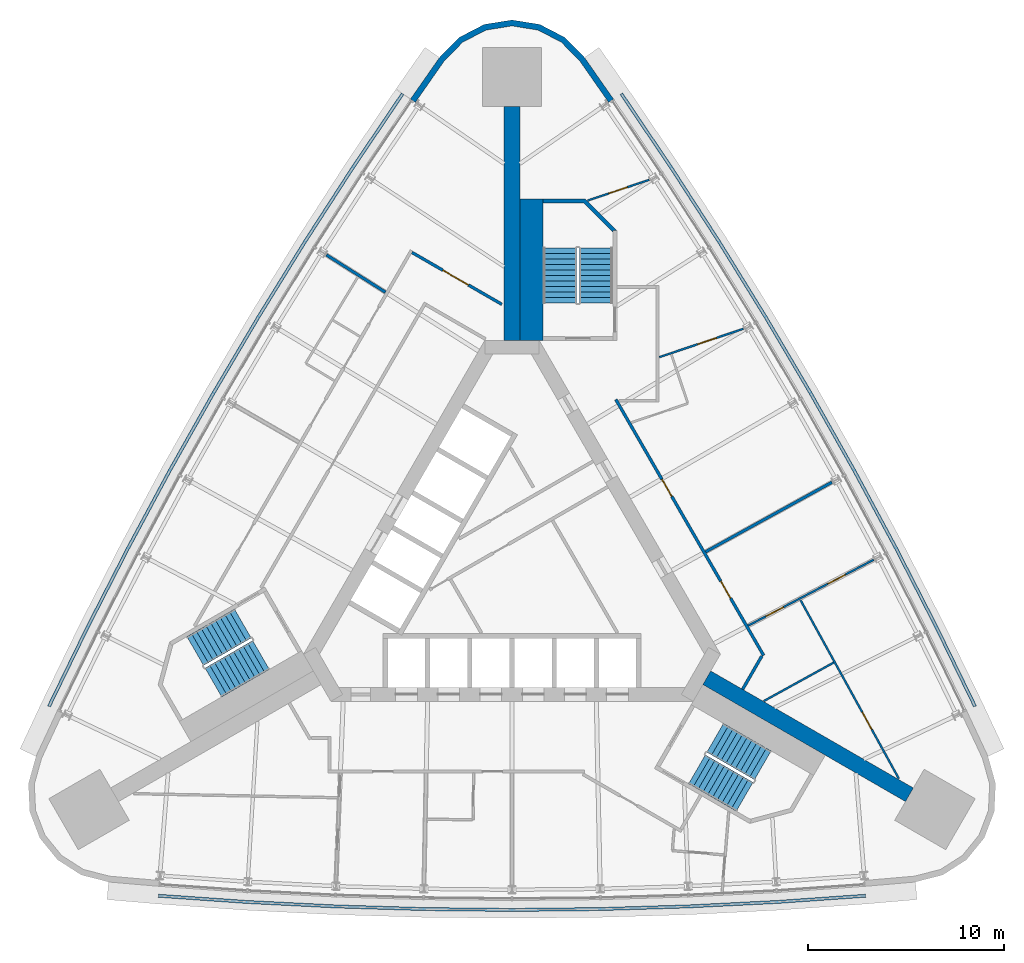
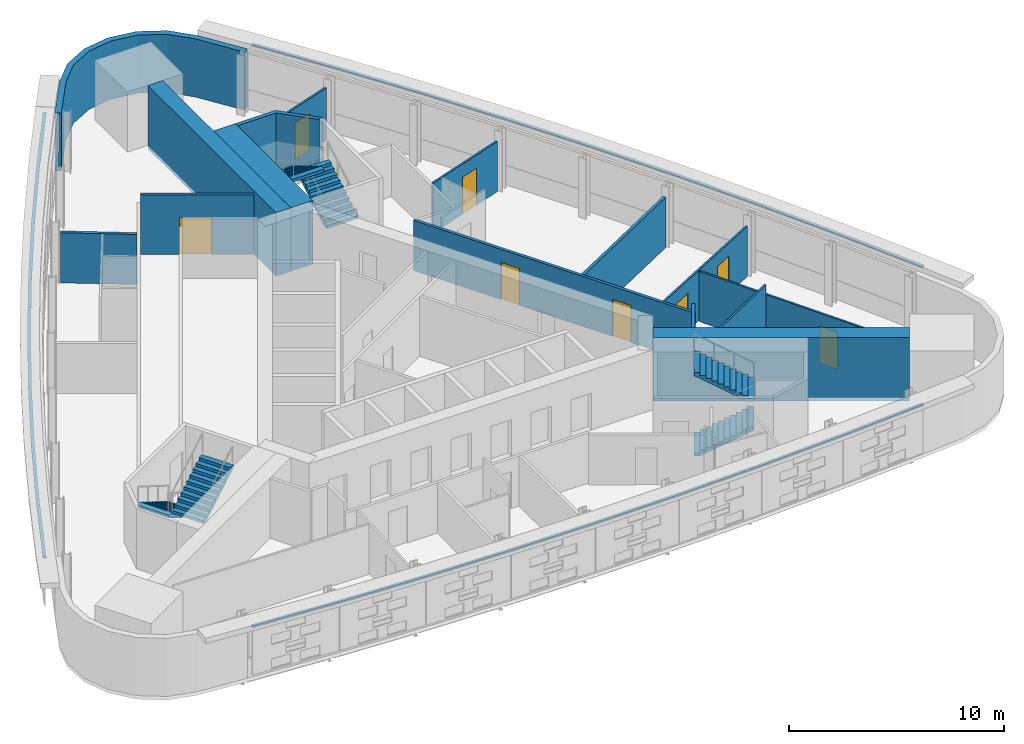
# One storey, part 9 of 11: 15 walls, 8 doors, 6 stair flights, 3 discrete accessories, 8 openings, 3 elements without a shape of their own.
"""IFC4 building model written with IfcOpenShell, lengths in metres."""

from ifc_helpers import new_model, si_unit, direction, frame, frame_2d, origin, place, context, subcontext, project, spatial, polyline, rectangle, outline, extrude, material, layer, layer_set, type_object, element, fill, aggregate, save


model = new_model("IFC4")

# Units and contexts
model_context = context("Model", 3, precision=1e-05, world=origin(), true_north=direction((0.0, 1.0)))
body_context = subcontext(model_context, "Body", "Model", "MODEL_VIEW")
ifc_project = project(units=[si_unit("LENGTHUNIT", "METRE"), si_unit("AREAUNIT", "SQUARE_METRE"), si_unit("VOLUMEUNIT", "CUBIC_METRE"), si_unit("PLANEANGLEUNIT", "RADIAN"), si_unit("MASSUNIT", "GRAM", prefix="KILO")], contexts=[model_context])

# Site, building, storey
site_placement = place(None, origin())
site = spatial("IfcSite", under=ifc_project, at=site_placement, CompositionType="ELEMENT")
building_placement = place(site_placement, origin())
building = spatial("IfcBuilding", under=site, at=building_placement, Name="Noor Cloister Tower", CompositionType="ELEMENT")
storey_placement = place(building_placement, frame((0.0, 0.0, 113.10009765625)))
storey = spatial("IfcBuildingStorey", under=building, at=storey_placement, Name="L29", CompositionType="ELEMENT", Elevation=113.10009765625)

# Walls
ifc_material_1 = material(Name="Concrete C80/95", Category="concrete")
ifc_layer_1 = layer(ifc_material_1, 0.800048828125)
ifc_layer_set_1 = layer_set([ifc_layer_1], Name="Buttress wall 800 C80/95")
wall_type_1 = type_object("IfcWallType", Name="Buttress wall 800 C80/95", PredefinedType="SHEAR", material=ifc_layer_set_1)
wall_1_placement = place(storey_placement, frame((0.0, 11.456298828125, -0.2001953125), z_axis=(0.0, 0.0, 1.0), x_axis=(0.0, 1.0, 0.0)))
element("IfcWall", 1, at=wall_1_placement, inside=storey, type_object=wall_type_1, Name="Buttress wall N L29", PredefinedType="SHEAR", context=body_context, shape_type="SweptSolid", body=[
    extrude(rectangle(XDim=11.918701171875, YDim=0.800048828125, at=frame_2d((5.95947265625, 0.0))), origin(), (0.0, 0.0, 1.0), 3.60009765625),
])
wall_2_placement = place(storey_placement, frame((9.921630859375, -5.728271484375, -0.2001953125), z_axis=(0.0, 0.0, 1.0), x_axis=(0.866027307971, -0.499996701837, 0.0)))
element("IfcWall", 2, at=wall_2_placement, inside=storey, type_object=wall_type_1, Name="Buttress wall SE L29", PredefinedType="SHEAR", context=body_context, shape_type="SweptSolid", body=[
    extrude(rectangle(XDim=11.91845703125, YDim=0.800048828125, at=frame_2d((5.959228515625, 0.0))), origin(), (0.0, 0.0, 1.0), 3.60009765625),
])

# Wall, openings, doors
ifc_material_2 = material(Name="Gypsum board partition on steel studs, 150 mm", Category="steel")
ifc_layer_2 = layer(ifc_material_2, 0.14990234375)
ifc_layer_set_2 = layer_set([ifc_layer_2], Name="Flat wall 150")
wall_type_2 = type_object("IfcWallType", Name="Flat wall 150", PredefinedType="PARTITIONING", material=ifc_layer_set_2)
wall_3_placement = place(storey_placement, frame((5.28857421875, 8.4462890625, 0.0), z_axis=(0.0, 0.0, 1.0), x_axis=(0.499996620721, -0.866027354803, 0.0)))
wall_3 = element("IfcWall", 3, at=wall_3_placement, inside=storey, type_object=wall_type_2, Name="Flat wall 150 L29 003", PredefinedType="PARTITIONING", context=body_context, shape_type="SweptSolid", body=[
    extrude(rectangle(XDim=15.056640625, YDim=0.14990234375, at=frame_2d((7.5283203125, 0.0))), origin(), (0.0, 0.0, 1.0), 2.846923828125),
])
opening_1_placement = place(wall_3_placement, frame((10.688720703125, 0.0, 0.0)))
opening_1 = element("IfcOpeningElement", 4, at=opening_1_placement, cuts=wall_3, Name="Opening L29-006", PredefinedType="OPENING", context=body_context, shape_type="SweptSolid", body=[
    extrude(rectangle(XDim=1.0, YDim=2.10009765625, at=frame_2d((0.5, 1.050048828125))), frame((0.0, 0.0849609375, 0.0), z_axis=(0.0, -1.0, 0.0), x_axis=(1.0, 0.0, 0.0)), (0.0, 0.0, 1.0), 0.169921875),
])
opening_2_placement = place(wall_3_placement, frame((4.6953125, 0.0, 0.0)))
opening_2 = element("IfcOpeningElement", 5, at=opening_2_placement, cuts=wall_3, Name="Opening L29-007", PredefinedType="OPENING", context=body_context, shape_type="SweptSolid", body=[
    extrude(rectangle(XDim=1.0, YDim=2.10009765625, at=frame_2d((0.5, 1.050048828125))), frame((0.0, 0.0849609375, 0.0), z_axis=(0.0, -1.0, 0.0), x_axis=(1.0, 0.0, 0.0)), (0.0, 0.0, 1.0), 0.169921875),
])
ifc_material_3 = material(Name="Timber door leaf with steel frame", Category="steel")
door_type_1 = type_object("IfcDoorType", Name="Flat entrance door 1000 FD60S", OperationType="NOTDEFINED", PredefinedType="DOOR", material=ifc_material_3)
door_1_placement = place(opening_1_placement, origin())
door_1 = element("IfcDoor", 6, at=door_1_placement, inside=storey, type_object=door_type_1, Name="Flat entrance door 1000 L29-006", OperationType="SINGLE_SWING_RIGHT", OverallHeight=2.10009765625, OverallWidth=1.0, PredefinedType="DOOR", context=body_context, shape_type="SweptSolid", body=[
    extrude(rectangle(XDim=1.0, YDim=2.10009765625, at=frame_2d((0.5, 1.050048828125))), frame((0.0, 0.02490234375, 0.0), z_axis=(0.0, -1.0, 0.0), x_axis=(1.0, 0.0, 0.0)), (0.0, 0.0, 1.0), 0.050048828125),
])
fill(opening_1, door_1)
door_2_placement = place(opening_2_placement, origin())
door_2 = element("IfcDoor", 7, at=door_2_placement, inside=storey, type_object=door_type_1, Name="Flat entrance door 1000 L29-007", OperationType="SINGLE_SWING_LEFT", OverallHeight=2.10009765625, OverallWidth=1.0, PredefinedType="DOOR", context=body_context, shape_type="SweptSolid", body=[
    extrude(rectangle(XDim=1.0, YDim=2.10009765625, at=frame_2d((0.5, 1.050048828125))), frame((0.0, 0.02490234375, 0.0), z_axis=(0.0, -1.0, 0.0), x_axis=(1.0, 0.0, 0.0)), (0.0, 0.0, 1.0), 0.050048828125),
])
fill(opening_2, door_2)

# Wall, opening, door
wall_4_placement = place(storey_placement, frame((-5.093017578125, 15.93505859375, 0.0), z_axis=(0.0, 0.0, 1.0), x_axis=(0.866033195618, -0.499986503906, 0.0)))
wall_4 = element("IfcWall", 8, at=wall_4_placement, inside=storey, type_object=wall_type_2, Name="Flat wall 150 L29 007", PredefinedType="PARTITIONING", context=body_context, shape_type="SweptSolid", body=[
    extrude(rectangle(XDim=5.282470703125, YDim=0.14990234375, at=frame_2d((2.64111328125, 0.0))), origin(), (0.0, 0.0, 1.0), 3.39990234375),
])
opening_3_placement = place(wall_4_placement, frame((1.816162109375, 0.0, 0.0)))
opening_3 = element("IfcOpeningElement", 9, at=opening_3_placement, cuts=wall_4, Name="Opening L29-011", PredefinedType="OPENING", context=body_context, shape_type="SweptSolid", body=[
    extrude(rectangle(XDim=1.5, YDim=2.10009765625, at=frame_2d((0.75, 1.050048828125))), frame((0.0, 0.0849609375, 0.0), z_axis=(0.0, -1.0, 0.0), x_axis=(1.0, 0.0, 0.0)), (0.0, 0.0, 1.0), 0.169921875),
])
ifc_material_4 = material(Name="Timber door leaf with steel frame", Category="steel")
door_type_2 = type_object("IfcDoorType", Name="Double door 1500 FD60", OperationType="NOTDEFINED", PredefinedType="DOOR", material=ifc_material_4)
door_3_placement = place(opening_3_placement, origin())
door_3 = element("IfcDoor", 10, at=door_3_placement, inside=storey, type_object=door_type_2, Name="Double door 1500 L29-011", OperationType="DOUBLE_DOOR_SINGLE_SWING", OverallHeight=2.10009765625, OverallWidth=1.5, PredefinedType="DOOR", context=body_context, shape_type="SweptSolid", body=[
    extrude(rectangle(XDim=1.5, YDim=2.10009765625, at=frame_2d((0.75, 1.050048828125))), frame((0.0, 0.02490234375, 0.0), z_axis=(0.0, -1.0, 0.0), x_axis=(1.0, 0.0, 0.0)), (0.0, 0.0, 1.0), 0.050048828125),
])
fill(opening_3, door_3)

# Walls
wall_5_placement = place(storey_placement, frame((11.745361328125, -6.3193359375, 0.0), z_axis=(0.0, 0.0, 1.0), x_axis=(0.500012721296, 0.866018059016, 0.0)))
element("IfcWall", 11, at=wall_5_placement, inside=storey, type_object=wall_type_2, Name="Flat wall 150 L29 012", PredefinedType="PARTITIONING", context=body_context, shape_type="SweptSolid", body=[
    extrude(rectangle(XDim=1.9658203125, YDim=0.14990234375, at=frame_2d((0.98291015625, 0.0))), origin(), (0.0, 0.0, 1.0), 3.39990234375),
])
wall_6_placement = place(storey_placement, frame((16.296875, 4.231689453125, 0.0), z_axis=(0.0, 0.0, 1.0), x_axis=(-0.875895262359, -0.482501284327, 0.0)))
element("IfcWall", 12, at=wall_6_placement, inside=storey, type_object=wall_type_2, Name="Flat wall 150 L29 016", PredefinedType="PARTITIONING", context=body_context, shape_type="SweptSolid", body=[
    extrude(rectangle(XDim=7.35107421875, YDim=0.14990234375, at=frame_2d((3.675537109375, 0.0))), origin(), (0.0, 0.0, 1.0), 2.846923828125),
])
wall_7_placement = place(storey_placement, frame((-9.455322265625, 15.8115234375, 0.0), z_axis=(0.0, 0.0, 1.0), x_axis=(0.845256180865, -0.53436129043, 0.0)))
element("IfcWall", 13, at=wall_7_placement, inside=storey, type_object=wall_type_2, Name="Flat wall 150 L29 020", PredefinedType="PARTITIONING", context=body_context, shape_type="SweptSolid", body=[
    extrude(rectangle(XDim=3.56591796875, YDim=0.14990234375, at=frame_2d((1.782958984375, 0.0))), origin(), (0.0, 0.0, 1.0), 2.846923828125),
])
ifc_material_5 = material(Name="Limestone", Category="masonry")
ifc_layer_3 = layer(ifc_material_5, 0.300048828125)
ifc_layer_set_3 = layer_set([ifc_layer_3], Name="Limestone cladding 300")
wall_type_3 = type_object("IfcWallType", Name="Limestone cladding 300", PredefinedType="NOTDEFINED", material=ifc_layer_set_3)
wall_8_placement = place(storey_placement, origin())
element("IfcWall", 14, at=wall_8_placement, inside=storey, type_object=wall_type_3, Name="Limestone pier cladding L29 3.1", PredefinedType="NOTDEFINED", context=body_context, shape_type="SweptSolid", body=[
    extrude(outline(polyline([(5.1708984375, 23.747802734375), (3.694091796875, 25.862548828125), (2.6904296875, 26.8876953125), (1.41650390625, 27.54736328125), (0.0, 27.774658203125), (-1.41650390625, 27.54736328125), (-2.6904296875, 26.8876953125), (-3.694091796875, 25.862548828125), (-5.1708984375, 23.747802734375), (-4.925048828125, 23.575927734375), (-3.462158203125, 25.67041015625), (-2.509765625, 26.6435546875), (-1.3212890625, 27.2587890625), (0.0, 27.470947265625), (1.3212890625, 27.2587890625), (2.509765625, 26.6435546875), (3.462158203125, 25.67041015625), (4.925048828125, 23.575927734375), (5.1708984375, 23.747802734375)])), origin(), (0.0, 0.0, 1.0), 3.2998046875),
])

# Wall, opening, door
ifc_material_6 = material(Name="Gypsum board partition on steel studs, 100 mm", Category="steel")
ifc_layer_4 = layer(ifc_material_6, 0.10009765625)
ifc_layer_set_4 = layer_set([ifc_layer_4], Name="Partition 100")
wall_type_4 = type_object("IfcWallType", Name="Partition 100", PredefinedType="PARTITIONING", material=ifc_layer_set_4)
wall_9_placement = place(storey_placement, frame((19.702880859375, -10.8642578125, 0.0), z_axis=(0.0, 0.0, 1.0), x_axis=(-0.482505676042, 0.875892843096, 0.0)))
wall_9 = element("IfcWall", 15, at=wall_9_placement, inside=storey, type_object=wall_type_4, Name="Partition 100 L29 021", PredefinedType="PARTITIONING", context=body_context, shape_type="SweptSolid", body=[
    extrude(rectangle(XDim=10.377197265625, YDim=0.10009765625, at=frame_2d((5.1884765625, 0.0))), origin(), (0.0, 0.0, 1.0), 2.846923828125),
])
opening_4_placement = place(wall_9_placement, frame((2.863525390625, 0.0, 0.0)))
opening_4 = element("IfcOpeningElement", 16, at=opening_4_placement, cuts=wall_9, Name="Opening L29-012", PredefinedType="OPENING", context=body_context, shape_type="SweptSolid", body=[
    extrude(rectangle(XDim=1.0, YDim=2.10009765625, at=frame_2d((0.5, 1.050048828125))), frame((0.0, 0.06005859375, 0.0), z_axis=(0.0, -1.0, 0.0), x_axis=(1.0, 0.0, 0.0)), (0.0, 0.0, 1.0), 0.1201171875),
])
ifc_material_7 = material(Name="Timber door leaf with steel frame", Category="steel")
door_type_3 = type_object("IfcDoorType", Name="Interior door 1000", OperationType="NOTDEFINED", PredefinedType="DOOR", material=ifc_material_7)
door_4_placement = place(opening_4_placement, origin())
door_4 = element("IfcDoor", 17, at=door_4_placement, inside=storey, type_object=door_type_3, Name="Interior door 1000 L29-012", OperationType="SINGLE_SWING_LEFT", OverallHeight=2.10009765625, OverallWidth=1.0, PredefinedType="DOOR", context=body_context, shape_type="SweptSolid", body=[
    extrude(rectangle(XDim=1.0, YDim=2.10009765625, at=frame_2d((0.5, 1.050048828125))), frame((0.0, 0.02490234375, 0.0), z_axis=(0.0, -1.0, 0.0), x_axis=(1.0, 0.0, 0.0)), (0.0, 0.0, 1.0), 0.050048828125),
])
fill(opening_4, door_4)

# Wall, openings, doors
wall_10_placement = place(storey_placement, frame((18.4208984375, 0.282958984375, 0.0), z_axis=(0.0, 0.0, 1.0), x_axis=(-0.885392336097, -0.464844502151, 0.0)))
wall_10 = element("IfcWall", 18, at=wall_10_placement, inside=storey, type_object=wall_type_4, Name="Partition 100 L29 023", PredefinedType="PARTITIONING", context=body_context, shape_type="SweptSolid", body=[
    extrude(rectangle(XDim=7.219970703125, YDim=0.10009765625, at=frame_2d((3.60986328125, 0.0))), origin(), (0.0, 0.0, 1.0), 2.846923828125),
])
opening_5_placement = place(wall_10_placement, frame((5.19580078125, 0.0, 0.0)))
opening_5 = element("IfcOpeningElement", 19, at=opening_5_placement, cuts=wall_10, Name="Opening L29-013", PredefinedType="OPENING", context=body_context, shape_type="SweptSolid", body=[
    extrude(rectangle(XDim=1.0, YDim=2.10009765625, at=frame_2d((0.5, 1.050048828125))), frame((0.0, 0.06005859375, 0.0), z_axis=(0.0, -1.0, 0.0), x_axis=(1.0, 0.0, 0.0)), (0.0, 0.0, 1.0), 0.1201171875),
])
opening_6_placement = place(wall_10_placement, frame((1.634033203125, 0.0, 0.0)))
opening_6 = element("IfcOpeningElement", 20, at=opening_6_placement, cuts=wall_10, Name="Opening L29-014", PredefinedType="OPENING", context=body_context, shape_type="SweptSolid", body=[
    extrude(rectangle(XDim=1.0, YDim=2.10009765625, at=frame_2d((0.5, 1.050048828125))), frame((0.0, 0.06005859375, 0.0), z_axis=(0.0, -1.0, 0.0), x_axis=(1.0, 0.0, 0.0)), (0.0, 0.0, 1.0), 0.1201171875),
])
door_5_placement = place(opening_5_placement, origin())
door_5 = element("IfcDoor", 21, at=door_5_placement, inside=storey, type_object=door_type_3, Name="Interior door 1000 L29-013", OperationType="SINGLE_SWING_RIGHT", OverallHeight=2.10009765625, OverallWidth=1.0, PredefinedType="DOOR", context=body_context, shape_type="SweptSolid", body=[
    extrude(rectangle(XDim=1.0, YDim=2.10009765625, at=frame_2d((0.5, 1.050048828125))), frame((0.0, 0.02490234375, 0.0), z_axis=(0.0, -1.0, 0.0), x_axis=(1.0, 0.0, 0.0)), (0.0, 0.0, 1.0), 0.050048828125),
])
fill(opening_5, door_5)
door_6_placement = place(opening_6_placement, origin())
door_6 = element("IfcDoor", 22, at=door_6_placement, inside=storey, type_object=door_type_3, Name="Interior door 1000 L29-014", OperationType="SINGLE_SWING_LEFT", OverallHeight=2.10009765625, OverallWidth=1.0, PredefinedType="DOOR", context=body_context, shape_type="SweptSolid", body=[
    extrude(rectangle(XDim=1.0, YDim=2.10009765625, at=frame_2d((0.5, 1.050048828125))), frame((0.0, 0.02490234375, 0.0), z_axis=(0.0, -1.0, 0.0), x_axis=(1.0, 0.0, 0.0)), (0.0, 0.0, 1.0), 0.050048828125),
])
fill(opening_6, door_6)

# Wall, opening, door
wall_11_placement = place(storey_placement, frame((7.501708984375, 10.600830078125, 0.0), z_axis=(0.0, 0.0, 1.0), x_axis=(0.947570000993, 0.319548264303, 0.0)))
wall_11 = element("IfcWall", 23, at=wall_11_placement, inside=storey, type_object=wall_type_4, Name="Partition 100 L29 026", PredefinedType="PARTITIONING", context=body_context, shape_type="SweptSolid", body=[
    extrude(rectangle(XDim=4.519287109375, YDim=0.10009765625, at=frame_2d((2.259765625, 0.0))), origin(), (0.0, 0.0, 1.0), 2.846923828125),
])
opening_7_placement = place(wall_11_placement, frame((2.067626953125, 0.0, 0.0)))
opening_7 = element("IfcOpeningElement", 24, at=opening_7_placement, cuts=wall_11, Name="Opening L29-017", PredefinedType="OPENING", context=body_context, shape_type="SweptSolid", body=[
    extrude(rectangle(XDim=1.0, YDim=2.10009765625, at=frame_2d((0.5, 1.050048828125))), frame((0.0, 0.06005859375, 0.0), z_axis=(0.0, -1.0, 0.0), x_axis=(1.0, 0.0, 0.0)), (0.0, 0.0, 1.0), 0.1201171875),
])
door_7_placement = place(opening_7_placement, origin())
door_7 = element("IfcDoor", 25, at=door_7_placement, inside=storey, type_object=door_type_3, Name="Interior door 1000 L29-017", OperationType="SINGLE_SWING_RIGHT", OverallHeight=2.10009765625, OverallWidth=1.0, PredefinedType="DOOR", context=body_context, shape_type="SweptSolid", body=[
    extrude(rectangle(XDim=1.0, YDim=2.10009765625, at=frame_2d((0.5, 1.050048828125))), frame((0.0, 0.02490234375, 0.0), z_axis=(0.0, -1.0, 0.0), x_axis=(1.0, 0.0, 0.0)), (0.0, 0.0, 1.0), 0.050048828125),
])
fill(opening_7, door_7)

# Wall
wall_12_placement = place(storey_placement, frame((16.388916015625, -4.952392578125, 0.0), z_axis=(0.0, 0.0, 1.0), x_axis=(-0.875896259157, -0.482499474814, 0.0)))
element("IfcWall", 26, at=wall_12_placement, inside=storey, type_object=wall_type_4, Name="Partition 100 L29 027", PredefinedType="PARTITIONING", context=body_context, shape_type="SweptSolid", body=[
    extrude(rectangle(XDim=4.066162109375, YDim=0.10009765625, at=frame_2d((2.033203125, 0.0))), origin(), (0.0, 0.0, 1.0), 3.39990234375),
])

# Wall, opening, door
wall_13_placement = place(storey_placement, frame((3.8486328125, 18.574951171875, 0.0), z_axis=(0.0, 0.0, 1.0), x_axis=(0.947578304543, 0.319523640375, 0.0)))
wall_13 = element("IfcWall", 27, at=wall_13_placement, inside=storey, type_object=wall_type_4, Name="Partition 100 L29 029", PredefinedType="PARTITIONING", context=body_context, shape_type="SweptSolid", body=[
    extrude(rectangle(XDim=3.309326171875, YDim=0.10009765625, at=frame_2d((1.65478515625, 0.0))), origin(), (0.0, 0.0, 1.0), 2.973876953125),
])
opening_8_placement = place(wall_13_placement, frame((1.14208984375, 0.0, 0.0)))
opening_8 = element("IfcOpeningElement", 28, at=opening_8_placement, cuts=wall_13, Name="Opening L29-019", PredefinedType="OPENING", context=body_context, shape_type="SweptSolid", body=[
    extrude(rectangle(XDim=1.0, YDim=2.10009765625, at=frame_2d((0.5, 1.050048828125))), frame((0.0, 0.06005859375, 0.0), z_axis=(0.0, -1.0, 0.0), x_axis=(1.0, 0.0, 0.0)), (0.0, 0.0, 1.0), 0.1201171875),
])
door_8_placement = place(opening_8_placement, origin())
door_8 = element("IfcDoor", 29, at=door_8_placement, inside=storey, type_object=door_type_3, Name="Interior door 1000 L29-019", OperationType="SINGLE_SWING_LEFT", OverallHeight=2.10009765625, OverallWidth=1.0, PredefinedType="DOOR", context=body_context, shape_type="SweptSolid", body=[
    extrude(rectangle(XDim=1.0, YDim=2.10009765625, at=frame_2d((0.5, 1.050048828125))), frame((0.0, 0.02490234375, 0.0), z_axis=(0.0, -1.0, 0.0), x_axis=(1.0, 0.0, 0.0)), (0.0, 0.0, 1.0), 0.050048828125),
])
fill(opening_8, door_8)

# Walls
ifc_material_8 = material(Name="Concrete C80/95", Category="concrete")
ifc_layer_5 = layer(ifc_material_8, 1.18603515625)
ifc_layer_set_5 = layer_set([ifc_layer_5], Name="Stair enclosure wall 1186 C80/95")
wall_type_5 = type_object("IfcWallType", Name="Stair enclosure wall 1186 C80/95", PredefinedType="SHEAR", material=ifc_layer_set_5)
wall_14_placement = place(storey_placement, frame((0.992919921875, 11.456298828125, -0.2001953125), z_axis=(0.0, 0.0, 1.0), x_axis=(0.0, 1.0, 0.0)))
element("IfcWall", 30, at=wall_14_placement, inside=storey, type_object=wall_type_5, Name="Stair enclosure wall ST1 L29 riser side", PredefinedType="SHEAR", context=body_context, shape_type="SweptSolid", body=[
    extrude(rectangle(XDim=7.2001953125, YDim=1.185546875, at=frame_2d((3.60009765625, 0.0))), origin(), (0.0, 0.0, 1.0), 3.60009765625),
])
ifc_material_9 = material(Name="Concrete C80/95", Category="concrete")
wall_type_6 = type_object("IfcWallType", Name="Stair far end wall C80/95", PredefinedType="SHEAR", material=ifc_material_9)
wall_15_placement = place(storey_placement, frame((0.0, 0.0, -0.2001953125)))
element("IfcWall", 31, at=wall_15_placement, inside=storey, type_object=wall_type_6, Name="Stair enclosure wall ST1 L29 far end", PredefinedType="SHEAR", context=body_context, shape_type="SweptSolid", body=[
    extrude(outline(polyline([(5.335693359375, 17.056396484375), (3.735595703125, 18.656494140625), (1.585693359375, 18.656494140625), (1.585693359375, 18.456298828125), (3.65283203125, 18.456298828125), (5.135498046875, 16.9736328125), (5.135498046875, 17.056396484375), (5.135498046875, 17.056396484375), (5.135498046875, 17.056396484375), (5.135498046875, 17.056396484375), (5.135498046875, 17.056396484375), (5.135498046875, 17.056396484375), (5.135498046875, 17.056396484375), (5.135498046875, 17.056396484375), (5.135498046875, 17.056396484375), (5.135498046875, 17.056396484375), (5.135498046875, 17.056396484375), (5.135498046875, 17.056396484375), (5.135498046875, 17.056396484375), (5.135498046875, 17.056396484375), (5.135498046875, 17.056396484375), (5.135498046875, 17.056396484375), (5.135498046875, 17.056396484375), (5.335693359375, 17.056396484375)])), origin(), (0.0, 0.0, 1.0), 3.60009765625),
])

# Stair, stair flights
ifc_material_10 = material(Name="Concrete C40/50", Category="concrete")
stair_type = type_object("IfcStairType", Name="Exit stair 22 risers", PredefinedType="HALF_TURN_STAIR", material=ifc_material_10)
stair_1_placement = place(storey_placement, origin())
stair_1 = element("IfcStair", 32, at=stair_1_placement, inside=storey, type_object=stair_type, Name="Exit stair ST1 L29", PredefinedType="HALF_TURN_STAIR")
ifc_material_11 = material(Name="Concrete C40/50", Category="concrete")
stair_flight_type = type_object("IfcStairFlightType", Name="Exit stair flight", PredefinedType="STRAIGHT", material=ifc_material_11)
stair_flight_1_placement = place(storey_placement, frame((4.28564453125, 13.3564453125, 0.0), z_axis=(0.0, 0.0, 1.0), x_axis=(0.0, 1.0, 0.0)))
stair_flight_1 = element("IfcStairFlight", 33, at=stair_flight_1_placement, type_object=stair_flight_type, Name="ST1 flight 1", NumberOfRisers=11, NumberOfTreads=10, PredefinedType="STRAIGHT", RiserHeight=0.163636364, TreadLength=0.28, context=body_context, shape_type="SweptSolid", body=[
    extrude(outline(polyline([(0.0, 0.0), (0.0, 0.16357421875), (0.280029296875, 0.16357421875), (0.280029296875, 0.327392578125), (0.56005859375, 0.327392578125), (0.56005859375, 0.490966796875), (0.840087890625, 0.490966796875), (0.840087890625, 0.654541015625), (1.1201171875, 0.654541015625), (1.1201171875, 0.818115234375), (1.39990234375, 0.818115234375), (1.39990234375, 0.98193359375), (1.679931640625, 0.98193359375), (1.679931640625, 1.1455078125), (1.9599609375, 1.1455078125), (1.9599609375, 1.30908203125), (2.239990234375, 1.30908203125), (2.239990234375, 1.47265625), (2.52001953125, 1.47265625), (2.52001953125, 1.636474609375), (2.800048828125, 1.636474609375), (2.800048828125, 1.800048828125), (2.800048828125, 1.462646484375), (0.297119140625, 0.0), (0.0, 0.0)])), frame((0.0, 0.85009765625, 0.0), z_axis=(0.0, -1.0, 0.0), x_axis=(1.0, 0.0, 0.0)), (0.0, 0.0, 1.0), 1.699951171875),
])
stair_flight_2_placement = place(storey_placement, frame((2.435546875, 16.156494140625, 1.7998046875), z_axis=(0.0, 0.0, 1.0), x_axis=(0.0, -1.0, 0.0)))
stair_flight_2 = element("IfcStairFlight", 34, at=stair_flight_2_placement, type_object=stair_flight_type, Name="ST1 flight 2", NumberOfRisers=11, NumberOfTreads=10, PredefinedType="STRAIGHT", RiserHeight=0.163636364, TreadLength=0.28, context=body_context, shape_type="SweptSolid", body=[
    extrude(outline(polyline([(0.0, 0.0), (0.0, 0.16357421875), (0.280029296875, 0.16357421875), (0.280029296875, 0.327392578125), (0.56005859375, 0.327392578125), (0.56005859375, 0.490966796875), (0.840087890625, 0.490966796875), (0.840087890625, 0.654541015625), (1.1201171875, 0.654541015625), (1.1201171875, 0.818115234375), (1.39990234375, 0.818115234375), (1.39990234375, 0.98193359375), (1.679931640625, 0.98193359375), (1.679931640625, 1.1455078125), (1.9599609375, 1.1455078125), (1.9599609375, 1.30908203125), (2.239990234375, 1.30908203125), (2.239990234375, 1.47265625), (2.52001953125, 1.47265625), (2.52001953125, 1.636474609375), (2.800048828125, 1.636474609375), (2.800048828125, 1.800048828125), (2.800048828125, 1.462646484375), (0.297119140625, 0.0), (0.0, 0.0)])), frame((0.0, 0.85009765625, 0.0), z_axis=(0.0, -1.0, 0.0), x_axis=(1.0, 0.0, 0.0)), (0.0, 0.0, 1.0), 1.699951171875),
])
aggregate(stair_1, [stair_flight_1, stair_flight_2])

stair_2_placement = place(storey_placement, origin())
stair_2 = element("IfcStair", 35, at=stair_2_placement, inside=storey, type_object=stair_type, Name="Exit stair ST2 L29", PredefinedType="HALF_TURN_STAIR")
stair_flight_3_placement = place(storey_placement, frame((-13.709716796875, -2.966796875, 0.0), z_axis=(0.0, 0.0, 1.0), x_axis=(-0.866025403784, -0.5, 0.0)))
stair_flight_3 = element("IfcStairFlight", 36, at=stair_flight_3_placement, type_object=stair_flight_type, Name="ST2 flight 1", NumberOfRisers=11, NumberOfTreads=10, PredefinedType="STRAIGHT", RiserHeight=0.163636364, TreadLength=0.28, context=body_context, shape_type="SweptSolid", body=[
    extrude(outline(polyline([(0.0, 0.0), (0.0, 0.16357421875), (0.280029296875, 0.16357421875), (0.280029296875, 0.327392578125), (0.56005859375, 0.327392578125), (0.56005859375, 0.490966796875), (0.840087890625, 0.490966796875), (0.840087890625, 0.654541015625), (1.1201171875, 0.654541015625), (1.1201171875, 0.818115234375), (1.39990234375, 0.818115234375), (1.39990234375, 0.98193359375), (1.679931640625, 0.98193359375), (1.679931640625, 1.1455078125), (1.9599609375, 1.1455078125), (1.9599609375, 1.30908203125), (2.239990234375, 1.30908203125), (2.239990234375, 1.47265625), (2.52001953125, 1.47265625), (2.52001953125, 1.636474609375), (2.800048828125, 1.636474609375), (2.800048828125, 1.800048828125), (2.800048828125, 1.462646484375), (0.297119140625, 0.0), (0.0, 0.0)])), frame((0.0, 0.85009765625, 0.0), z_axis=(0.0, -1.0, 0.0), x_axis=(1.0, 0.0, 0.0)), (0.0, 0.0, 1.0), 1.699951171875),
])
stair_flight_4_placement = place(storey_placement, frame((-15.209716796875, -5.968994140625, 1.7998046875), z_axis=(0.0, 0.0, 1.0), x_axis=(0.866025403784, 0.5, 0.0)))
stair_flight_4 = element("IfcStairFlight", 37, at=stair_flight_4_placement, type_object=stair_flight_type, Name="ST2 flight 2", NumberOfRisers=11, NumberOfTreads=10, PredefinedType="STRAIGHT", RiserHeight=0.163636364, TreadLength=0.28, context=body_context, shape_type="SweptSolid", body=[
    extrude(outline(polyline([(0.0, 0.0), (0.0, 0.16357421875), (0.280029296875, 0.16357421875), (0.280029296875, 0.327392578125), (0.56005859375, 0.327392578125), (0.56005859375, 0.490966796875), (0.840087890625, 0.490966796875), (0.840087890625, 0.654541015625), (1.1201171875, 0.654541015625), (1.1201171875, 0.818115234375), (1.39990234375, 0.818115234375), (1.39990234375, 0.98193359375), (1.679931640625, 0.98193359375), (1.679931640625, 1.1455078125), (1.9599609375, 1.1455078125), (1.9599609375, 1.30908203125), (2.239990234375, 1.30908203125), (2.239990234375, 1.47265625), (2.52001953125, 1.47265625), (2.52001953125, 1.636474609375), (2.800048828125, 1.636474609375), (2.800048828125, 1.800048828125), (2.800048828125, 1.462646484375), (0.297119140625, 0.0), (0.0, 0.0)])), frame((0.0, 0.85009765625, 0.0), z_axis=(0.0, -1.0, 0.0), x_axis=(1.0, 0.0, 0.0)), (0.0, 0.0, 1.0), 1.699951171875),
])
aggregate(stair_2, [stair_flight_3, stair_flight_4])

stair_3_placement = place(storey_placement, origin())
stair_3 = element("IfcStair", 38, at=stair_3_placement, inside=storey, type_object=stair_type, Name="Exit stair ST3 L29", PredefinedType="HALF_TURN_STAIR")
stair_flight_5_placement = place(storey_placement, frame((9.424072265625, -10.3896484375, 0.0), z_axis=(0.0, 0.0, 1.0), x_axis=(0.866025403784, -0.5, 0.0)))
stair_flight_5 = element("IfcStairFlight", 39, at=stair_flight_5_placement, type_object=stair_flight_type, Name="ST3 flight 1", NumberOfRisers=11, NumberOfTreads=10, PredefinedType="STRAIGHT", RiserHeight=0.163636364, TreadLength=0.28, context=body_context, shape_type="SweptSolid", body=[
    extrude(outline(polyline([(0.0, 0.0), (0.0, 0.16357421875), (0.280029296875, 0.16357421875), (0.280029296875, 0.327392578125), (0.56005859375, 0.327392578125), (0.56005859375, 0.490966796875), (0.840087890625, 0.490966796875), (0.840087890625, 0.654541015625), (1.1201171875, 0.654541015625), (1.1201171875, 0.818115234375), (1.39990234375, 0.818115234375), (1.39990234375, 0.98193359375), (1.679931640625, 0.98193359375), (1.679931640625, 1.1455078125), (1.9599609375, 1.1455078125), (1.9599609375, 1.30908203125), (2.239990234375, 1.30908203125), (2.239990234375, 1.47265625), (2.52001953125, 1.47265625), (2.52001953125, 1.636474609375), (2.800048828125, 1.636474609375), (2.800048828125, 1.800048828125), (2.800048828125, 1.462646484375), (0.297119140625, 0.0), (0.0, 0.0)])), frame((0.0, 0.85009765625, 0.0), z_axis=(0.0, -1.0, 0.0), x_axis=(1.0, 0.0, 0.0)), (0.0, 0.0, 1.0), 1.699951171875),
])
stair_flight_6_placement = place(storey_placement, frame((12.77392578125, -10.1875, 1.7998046875), z_axis=(0.0, 0.0, 1.0), x_axis=(-0.866025403784, 0.5, 0.0)))
stair_flight_6 = element("IfcStairFlight", 40, at=stair_flight_6_placement, type_object=stair_flight_type, Name="ST3 flight 2", NumberOfRisers=11, NumberOfTreads=10, PredefinedType="STRAIGHT", RiserHeight=0.163636364, TreadLength=0.28, context=body_context, shape_type="SweptSolid", body=[
    extrude(outline(polyline([(0.0, 0.0), (0.0, 0.16357421875), (0.280029296875, 0.16357421875), (0.280029296875, 0.327392578125), (0.56005859375, 0.327392578125), (0.56005859375, 0.490966796875), (0.840087890625, 0.490966796875), (0.840087890625, 0.654541015625), (1.1201171875, 0.654541015625), (1.1201171875, 0.818115234375), (1.39990234375, 0.818115234375), (1.39990234375, 0.98193359375), (1.679931640625, 0.98193359375), (1.679931640625, 1.1455078125), (1.9599609375, 1.1455078125), (1.9599609375, 1.30908203125), (2.239990234375, 1.30908203125), (2.239990234375, 1.47265625), (2.52001953125, 1.47265625), (2.52001953125, 1.636474609375), (2.800048828125, 1.636474609375), (2.800048828125, 1.800048828125), (2.800048828125, 1.462646484375), (0.297119140625, 0.0), (0.0, 0.0)])), frame((0.0, 0.85009765625, 0.0), z_axis=(0.0, -1.0, 0.0), x_axis=(1.0, 0.0, 0.0)), (0.0, 0.0, 1.0), 1.699951171875),
])
aggregate(stair_3, [stair_flight_5, stair_flight_6])

# Discrete accessories
ifc_material_12 = material(Name="Stainless steel grade 316", Category="steel")
discrete_accessory_type = type_object("IfcDiscreteAccessoryType", Name="Stainless hanger rail", PredefinedType="BRACKET", material=ifc_material_12)
discrete_accessory_1_placement = place(storey_placement, frame((0.0, 0.0, 3.199951171875)))
element("IfcDiscreteAccessory", 41, at=discrete_accessory_1_placement, inside=storey, type_object=discrete_accessory_type, Name="Hanger rail L29", PredefinedType="BRACKET", context=body_context, shape_type="SweptSolid", body=[
    extrude(outline(polyline([(-5.635009765625, 24.06103515625), (-8.15625, 20.326904296875), (-10.60498046875, 16.538330078125), (-12.977294921875, 12.701171875), (-15.27197265625, 8.8173828125), (-17.48828125, 4.887939453125), (-19.625, 0.9150390625), (-21.681884765625, -3.099853515625), (-23.655029296875, -7.150390625), (-23.51123046875, -7.220458984375), (-21.53857421875, -3.17138671875), (-19.4833984375, 0.8408203125), (-17.34814453125, 4.810791015625), (-15.13330078125, 8.7373046875), (-12.84033203125, 12.618408203125), (-10.4697265625, 16.452880859375), (-8.022705078125, 20.23876953125), (-5.50244140625, 23.9716796875), (-5.635009765625, 24.06103515625)])), origin(), (0.0, 0.0, 1.0), 0.099853515625),
])
discrete_accessory_2_placement = place(storey_placement, frame((0.0, 0.0, 3.199951171875)))
element("IfcDiscreteAccessory", 42, at=discrete_accessory_2_placement, inside=storey, type_object=discrete_accessory_type, Name="Hanger rail L29", PredefinedType="BRACKET", context=body_context, shape_type="SweptSolid", body=[
    extrude(outline(polyline([(-18.02001953125, -16.91064453125), (-13.525634765625, -17.22705078125), (-9.02001953125, -17.453369140625), (-4.510986328125, -17.58935546875), (0.0, -17.634521484375), (4.510986328125, -17.58935546875), (9.02001953125, -17.453369140625), (13.525634765625, -17.22705078125), (18.02001953125, -16.91064453125), (18.0087890625, -16.7509765625), (13.515869140625, -17.0673828125), (9.013671875, -17.29345703125), (4.5078125, -17.42919921875), (0.0, -17.474609375), (-4.5078125, -17.42919921875), (-9.013671875, -17.29345703125), (-13.515869140625, -17.0673828125), (-18.0087890625, -16.7509765625), (-18.02001953125, -16.91064453125)])), origin(), (0.0, 0.0, 1.0), 0.099853515625),
])
discrete_accessory_3_placement = place(storey_placement, frame((0.0, 0.0, 3.199951171875)))
element("IfcDiscreteAccessory", 43, at=discrete_accessory_3_placement, inside=storey, type_object=discrete_accessory_type, Name="Hanger rail L29", PredefinedType="BRACKET", context=body_context, shape_type="SweptSolid", body=[
    extrude(outline(polyline([(23.655029296875, -7.150390625), (21.681884765625, -3.099853515625), (19.625, 0.9150390625), (17.48828125, 4.887939453125), (15.27197265625, 8.8173828125), (12.977294921875, 12.701171875), (10.60498046875, 16.538330078125), (8.15625, 20.326904296875), (5.635009765625, 24.06103515625), (5.50244140625, 23.9716796875), (8.022705078125, 20.23876953125), (10.4697265625, 16.452880859375), (12.84033203125, 12.618408203125), (15.13330078125, 8.7373046875), (17.34814453125, 4.810791015625), (19.4833984375, 0.8408203125), (21.53857421875, -3.17138671875), (23.51123046875, -7.220458984375), (23.655029296875, -7.150390625)])), origin(), (0.0, 0.0, 1.0), 0.099853515625),
])

save(model, "model.ifc")
